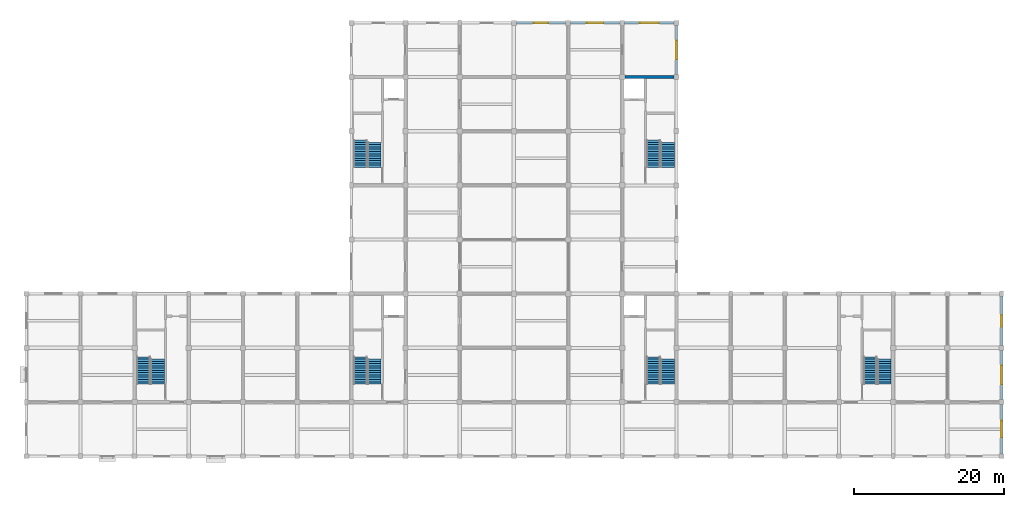
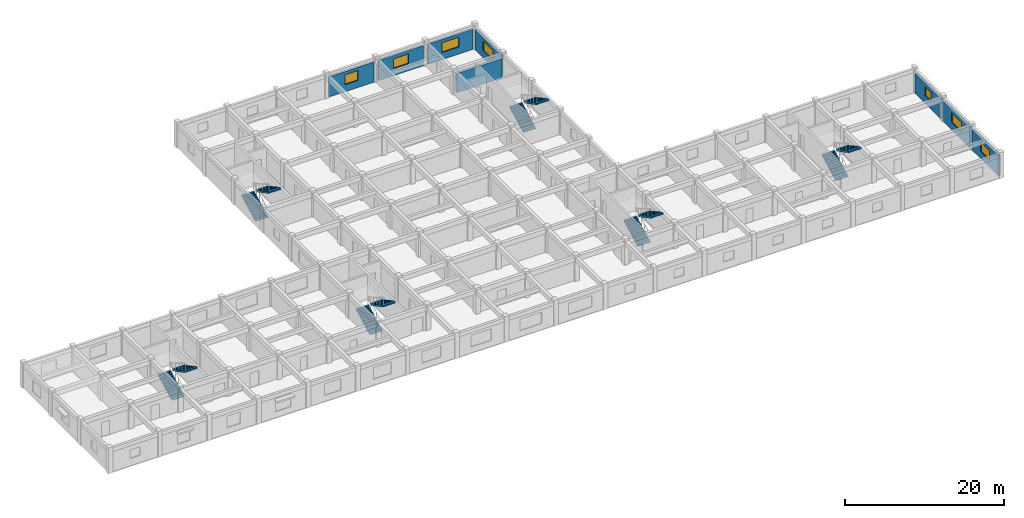
# One storey, part 9 of 11: 12 stair flights, 8 walls, 7 windows, 7 openings, 6 elements without a shape of their own.
"""IFC4 building model written with IfcOpenShell, lengths in metres."""

from ifc_helpers import new_model, si_unit, direction, frame, frame_2d, origin, place, context, subcontext, project, spatial, polyline, rectangle, outline, extrude, material, layer, layer_set, type_object, element, fill, aggregate, save


model = new_model("IFC4")

# Units and contexts
model_context = context("Model", 3, precision=1e-05, world=origin(), true_north=direction((0.0, 1.0)))
body_context = subcontext(model_context, "Body", "Model", "MODEL_VIEW")
ifc_project = project(units=[si_unit("LENGTHUNIT", "METRE"), si_unit("AREAUNIT", "SQUARE_METRE"), si_unit("VOLUMEUNIT", "CUBIC_METRE"), si_unit("PLANEANGLEUNIT", "RADIAN"), si_unit("MASSUNIT", "GRAM", prefix="KILO")], contexts=[model_context])

# Site, building, storey
site_placement = place(None, origin())
site = spatial("IfcSite", under=ifc_project, at=site_placement, CompositionType="ELEMENT")
building_placement = place(site_placement, origin())
building = spatial("IfcBuilding", under=site, at=building_placement, Name="Cendaluz Park School", CompositionType="ELEMENT")
storey_placement = place(building_placement, frame((0.0, 0.0, 26.60009765625)))
storey = spatial("IfcBuildingStorey", under=building, at=storey_placement, Name="L06", CompositionType="ELEMENT", Elevation=26.60009765625)

# Wall, opening, window
ifc_material_1 = material(Name="Concrete C40/50 precast", Category="concrete")
ifc_layer_1 = layer(ifc_material_1, 0.320068359375)
ifc_layer_set_1 = layer_set([ifc_layer_1], Name="Concrete C40/50 precast")
wall_type_1 = type_object("IfcWallType", Name="W-EX32", PredefinedType="SOLIDWALL", material=ifc_layer_set_1)
wall_1_placement = place(storey_placement, frame((86.72509765625, 64.800048828125, 0.0), z_axis=(0.0, 0.0, 1.0), x_axis=(1.0, 0.0, 0.0)))
wall_1 = element("IfcWall", 1, at=wall_1_placement, inside=storey, type_object=wall_type_1, Name="WL-FG-AC4", PredefinedType="SOLIDWALL", context=body_context, shape_type="SweptSolid", body=[
    extrude(rectangle(XDim=6.5498046875, YDim=0.320068359375, at=frame_2d((3.27490234375, 0.0))), origin(), (0.0, 0.0, 1.0), 3.099853515625),
])
opening_1_placement = place(wall_1_placement, frame((2.324951171875, 0.0, 1.10009765625)))
opening_1 = element("IfcOpeningElement", 2, at=opening_1_placement, cuts=wall_1, Name="Opening WN-17", PredefinedType="OPENING", context=body_context, shape_type="SweptSolid", body=[
    extrude(rectangle(XDim=1.89990234375, YDim=1.5, at=frame_2d((0.949951171875, 0.75))), frame((0.0, 0.172119140625, 0.0), z_axis=(0.0, -1.0, 0.0), x_axis=(1.0, 0.0, 0.0)), (0.0, 0.0, 1.0), 0.343994140625),
])
ifc_material_2 = material(Name="Tempered Low-E Double Glazing", Category="glass")
window_type_1 = type_object("IfcWindowType", Name="WN-17", PartitioningType="SINGLE_PANEL", PredefinedType="WINDOW", material=ifc_material_2)
window_1_placement = place(opening_1_placement, origin())
window_1 = element("IfcWindow", 3, at=window_1_placement, inside=storey, type_object=window_type_1, Name="WN-L06-025", OverallHeight=1.5, OverallWidth=1.89990234375, PartitioningType="SINGLE_PANEL", PredefinedType="WINDOW", context=body_context, shape_type="SweptSolid", body=[
    extrude(rectangle(XDim=1.89990234375, YDim=1.5, at=frame_2d((0.949951171875, 0.75))), frame((0.0, 0.030029296875, 0.0), z_axis=(0.0, -1.0, 0.0), x_axis=(1.0, 0.0, 0.0)), (0.0, 0.0, 1.0), 0.06005859375),
])
fill(opening_1, window_1)

wall_2_placement = place(storey_placement, frame((93.925048828125, 64.800048828125, 0.0), z_axis=(0.0, 0.0, 1.0), x_axis=(1.0, 0.0, 0.0)))
wall_2 = element("IfcWall", 4, at=wall_2_placement, inside=storey, type_object=wall_type_1, Name="WL-FG-AC6", PredefinedType="SOLIDWALL", context=body_context, shape_type="SweptSolid", body=[
    extrude(rectangle(XDim=6.550048828125, YDim=0.320068359375, at=frame_2d((3.27490234375, 0.0))), origin(), (0.0, 0.0, 1.0), 3.099853515625),
])
opening_2_placement = place(wall_2_placement, frame((2.175048828125, 0.0, 1.10009765625)))
opening_2 = element("IfcOpeningElement", 5, at=opening_2_placement, cuts=wall_2, Name="Opening WN-18", PredefinedType="OPENING", context=body_context, shape_type="SweptSolid", body=[
    extrude(rectangle(XDim=2.199951171875, YDim=1.5, at=frame_2d((1.10009765625, 0.75))), frame((0.0, 0.172119140625, 0.0), z_axis=(0.0, -1.0, 0.0), x_axis=(1.0, 0.0, 0.0)), (0.0, 0.0, 1.0), 0.343994140625),
])
window_type_2 = type_object("IfcWindowType", Name="WN-18", PartitioningType="SINGLE_PANEL", PredefinedType="WINDOW", material=ifc_material_2)
window_2_placement = place(opening_2_placement, origin())
window_2 = element("IfcWindow", 6, at=window_2_placement, inside=storey, type_object=window_type_2, Name="WN-L06-027", OverallHeight=1.5, OverallWidth=2.199951171875, PartitioningType="SINGLE_PANEL", PredefinedType="WINDOW", context=body_context, shape_type="SweptSolid", body=[
    extrude(rectangle(XDim=2.199951171875, YDim=1.5, at=frame_2d((1.10009765625, 0.75))), frame((0.0, 0.030029296875, 0.0), z_axis=(0.0, -1.0, 0.0), x_axis=(1.0, 0.0, 0.0)), (0.0, 0.0, 1.0), 0.06005859375),
])
fill(opening_2, window_2)

wall_3_placement = place(storey_placement, frame((101.125, 64.800048828125, 0.0), z_axis=(0.0, 0.0, 1.0), x_axis=(1.0, 0.0, 0.0)))
wall_3 = element("IfcWall", 7, at=wall_3_placement, inside=storey, type_object=wall_type_1, Name="WL-FG-AD0", PredefinedType="SOLIDWALL", context=body_context, shape_type="SweptSolid", body=[
    extrude(rectangle(XDim=6.550048828125, YDim=0.320068359375, at=frame_2d((3.27490234375, 0.0))), origin(), (0.0, 0.0, 1.0), 3.099853515625),
])
opening_3_placement = place(wall_3_placement, frame((2.02490234375, 0.0, 1.10009765625)))
opening_3 = element("IfcOpeningElement", 8, at=opening_3_placement, cuts=wall_3, Name="Opening WN-19", PredefinedType="OPENING", context=body_context, shape_type="SweptSolid", body=[
    extrude(rectangle(XDim=2.5, YDim=1.5, at=frame_2d((1.25, 0.75))), frame((0.0, 0.172119140625, 0.0), z_axis=(0.0, -1.0, 0.0), x_axis=(1.0, 0.0, 0.0)), (0.0, 0.0, 1.0), 0.343994140625),
])
window_type_3 = type_object("IfcWindowType", Name="WN-19", PartitioningType="SINGLE_PANEL", PredefinedType="WINDOW", material=ifc_material_2)
window_3_placement = place(opening_3_placement, origin())
window_3 = element("IfcWindow", 9, at=window_3_placement, inside=storey, type_object=window_type_3, Name="WN-L06-031", OverallHeight=1.5, OverallWidth=2.5, PartitioningType="SINGLE_PANEL", PredefinedType="WINDOW", context=body_context, shape_type="SweptSolid", body=[
    extrude(rectangle(XDim=2.5, YDim=1.5, at=frame_2d((1.25, 0.75))), frame((0.0, 0.030029296875, 0.0), z_axis=(0.0, -1.0, 0.0), x_axis=(1.0, 0.0, 0.0)), (0.0, 0.0, 1.0), 0.06005859375),
])
fill(opening_3, window_3)

wall_4_placement = place(storey_placement, frame((108.0, 57.925048828125, 0.0), z_axis=(0.0, 0.0, 1.0), x_axis=(0.0, 1.0, 0.0)))
wall_4 = element("IfcWall", 10, at=wall_4_placement, inside=storey, type_object=wall_type_1, Name="WL-FG-AD1", PredefinedType="SOLIDWALL", context=body_context, shape_type="SweptSolid", body=[
    extrude(rectangle(XDim=6.550048828125, YDim=0.320068359375, at=frame_2d((3.27490234375, 0.0))), origin(), (0.0, 0.0, 1.0), 3.099853515625),
])
opening_4_placement = place(wall_4_placement, frame((2.02490234375, 0.0, 1.10009765625)))
opening_4 = element("IfcOpeningElement", 11, at=opening_4_placement, cuts=wall_4, Name="Opening WN-19", PredefinedType="OPENING", context=body_context, shape_type="SweptSolid", body=[
    extrude(rectangle(XDim=2.5, YDim=1.5, at=frame_2d((1.25, 0.75))), frame((0.0, 0.172119140625, 0.0), z_axis=(0.0, -1.0, 0.0), x_axis=(1.0, 0.0, 0.0)), (0.0, 0.0, 1.0), 0.343994140625),
])
window_4_placement = place(opening_4_placement, origin())
window_4 = element("IfcWindow", 12, at=window_4_placement, inside=storey, type_object=window_type_3, Name="WN-L06-032", OverallHeight=1.5, OverallWidth=2.5, PartitioningType="SINGLE_PANEL", PredefinedType="WINDOW", context=body_context, shape_type="SweptSolid", body=[
    extrude(rectangle(XDim=2.5, YDim=1.5, at=frame_2d((1.25, 0.75))), frame((0.0, 0.030029296875, 0.0), z_axis=(0.0, -1.0, 0.0), x_axis=(1.0, 0.0, 0.0)), (0.0, 0.0, 1.0), 0.06005859375),
])
fill(opening_4, window_4)

wall_5_placement = place(storey_placement, frame((151.199951171875, 7.52490234375, 0.0), z_axis=(0.0, 0.0, 1.0), x_axis=(0.0, 1.0, 0.0)))
wall_5 = element("IfcWall", 13, at=wall_5_placement, inside=storey, type_object=wall_type_1, Name="WL-FG-AE2", PredefinedType="SOLIDWALL", context=body_context, shape_type="SweptSolid", body=[
    extrude(rectangle(XDim=6.550048828125, YDim=0.320068359375, at=frame_2d((3.27490234375, 0.0))), origin(), (0.0, 0.0, 1.0), 3.099853515625),
])
opening_5_placement = place(wall_5_placement, frame((2.175048828125, 0.0, 1.10009765625)))
opening_5 = element("IfcOpeningElement", 14, at=opening_5_placement, cuts=wall_5, Name="Opening WN-18", PredefinedType="OPENING", context=body_context, shape_type="SweptSolid", body=[
    extrude(rectangle(XDim=2.199951171875, YDim=1.5, at=frame_2d((1.10009765625, 0.75))), frame((0.0, 0.172119140625, 0.0), z_axis=(0.0, -1.0, 0.0), x_axis=(1.0, 0.0, 0.0)), (0.0, 0.0, 1.0), 0.343994140625),
])
window_5_placement = place(opening_5_placement, origin())
window_5 = element("IfcWindow", 15, at=window_5_placement, inside=storey, type_object=window_type_2, Name="WN-L06-043", OverallHeight=1.5, OverallWidth=2.199951171875, PartitioningType="SINGLE_PANEL", PredefinedType="WINDOW", context=body_context, shape_type="SweptSolid", body=[
    extrude(rectangle(XDim=2.199951171875, YDim=1.5, at=frame_2d((1.10009765625, 0.75))), frame((0.0, 0.030029296875, 0.0), z_axis=(0.0, -1.0, 0.0), x_axis=(1.0, 0.0, 0.0)), (0.0, 0.0, 1.0), 0.06005859375),
])
fill(opening_5, window_5)

wall_6_placement = place(storey_placement, frame((151.199951171875, 14.72509765625, 0.0), z_axis=(0.0, 0.0, 1.0), x_axis=(0.0, 1.0, 0.0)))
wall_6 = element("IfcWall", 16, at=wall_6_placement, inside=storey, type_object=wall_type_1, Name="WL-FG-AE3", PredefinedType="SOLIDWALL", context=body_context, shape_type="SweptSolid", body=[
    extrude(rectangle(XDim=6.5498046875, YDim=0.320068359375, at=frame_2d((3.27490234375, 0.0))), origin(), (0.0, 0.0, 1.0), 3.099853515625),
])
opening_6_placement = place(wall_6_placement, frame((2.02490234375, 0.0, 1.10009765625)))
opening_6 = element("IfcOpeningElement", 17, at=opening_6_placement, cuts=wall_6, Name="Opening WN-19", PredefinedType="OPENING", context=body_context, shape_type="SweptSolid", body=[
    extrude(rectangle(XDim=2.5, YDim=1.5, at=frame_2d((1.25, 0.75))), frame((0.0, 0.172119140625, 0.0), z_axis=(0.0, -1.0, 0.0), x_axis=(1.0, 0.0, 0.0)), (0.0, 0.0, 1.0), 0.343994140625),
])
window_6_placement = place(opening_6_placement, origin())
window_6 = element("IfcWindow", 18, at=window_6_placement, inside=storey, type_object=window_type_3, Name="WN-L06-044", OverallHeight=1.5, OverallWidth=2.5, PartitioningType="SINGLE_PANEL", PredefinedType="WINDOW", context=body_context, shape_type="SweptSolid", body=[
    extrude(rectangle(XDim=2.5, YDim=1.5, at=frame_2d((1.25, 0.75))), frame((0.0, 0.030029296875, 0.0), z_axis=(0.0, -1.0, 0.0), x_axis=(1.0, 0.0, 0.0)), (0.0, 0.0, 1.0), 0.06005859375),
])
fill(opening_6, window_6)

wall_7_placement = place(storey_placement, frame((151.199951171875, 21.925048828125, 0.0), z_axis=(0.0, 0.0, 1.0), x_axis=(0.0, 1.0, 0.0)))
wall_7 = element("IfcWall", 19, at=wall_7_placement, inside=storey, type_object=wall_type_1, Name="WL-FG-AE5", PredefinedType="SOLIDWALL", context=body_context, shape_type="SweptSolid", body=[
    extrude(rectangle(XDim=6.5, YDim=0.320068359375, at=frame_2d((3.25, 0.0))), origin(), (0.0, 0.0, 1.0), 3.099853515625),
])
opening_7_placement = place(wall_7_placement, frame((2.5, 0.0, 1.199951171875)))
opening_7 = element("IfcOpeningElement", 20, at=opening_7_placement, cuts=wall_7, Name="Opening WN-20", PredefinedType="OPENING", context=body_context, shape_type="SweptSolid", body=[
    extrude(rectangle(XDim=1.5, YDim=1.35009765625, at=frame_2d((0.75, 0.675048828125))), frame((0.0, 0.172119140625, 0.0), z_axis=(0.0, -1.0, 0.0), x_axis=(1.0, 0.0, 0.0)), (0.0, 0.0, 1.0), 0.343994140625),
])
window_type_4 = type_object("IfcWindowType", Name="WN-20", PartitioningType="SINGLE_PANEL", PredefinedType="WINDOW", material=ifc_material_2)
window_7_placement = place(opening_7_placement, origin())
window_7 = element("IfcWindow", 21, at=window_7_placement, inside=storey, type_object=window_type_4, Name="WN-L06-046", OverallHeight=1.35009765625, OverallWidth=1.5, PartitioningType="SINGLE_PANEL", PredefinedType="WINDOW", context=body_context, shape_type="SweptSolid", body=[
    extrude(rectangle(XDim=1.5, YDim=1.35009765625, at=frame_2d((0.75, 0.675048828125))), frame((0.0, 0.030029296875, 0.0), z_axis=(0.0, -1.0, 0.0), x_axis=(1.0, 0.0, 0.0)), (0.0, 0.0, 1.0), 0.06005859375),
])
fill(opening_7, window_7)

# Wall
ifc_material_3 = material(Name="Concrete C40/50", Category="concrete")
ifc_layer_2 = layer(ifc_material_3, 0.39990234375)
ifc_layer_set_2 = layer_set([ifc_layer_2], Name="Concrete C40/50")
wall_type_2 = type_object("IfcWallType", Name="W-SH40", PredefinedType="SHEAR", material=ifc_layer_set_2)
wall_8_placement = place(storey_placement, frame((101.14990234375, 57.60009765625, 0.0), z_axis=(0.0, 0.0, 1.0), x_axis=(1.0, 0.0, 0.0)))
element("IfcWall", 22, at=wall_8_placement, inside=storey, type_object=wall_type_2, Name="WL-FG-BL8", PredefinedType="SHEAR", context=body_context, shape_type="SweptSolid", body=[
    extrude(rectangle(XDim=6.525146484375, YDim=0.39990234375, at=frame_2d((3.2626953125, 0.0))), origin(), (0.0, 0.0, 1.0), 2.9599609375),
])

# Stair, stair flight
stair_type = type_object("IfcStairType", Name="ST-400-180", PredefinedType="HALF_TURN_STAIR", material=ifc_material_3)
stair_1_placement = place(storey_placement, origin())
stair_1 = element("IfcStair", 23, at=stair_1_placement, inside=storey, type_object=stair_type, Name="ST-L06-C1", PredefinedType="HALF_TURN_STAIR")
stair_flight_type_1 = type_object("IfcStairFlightType", Name="SF-12-160-180", PredefinedType="STRAIGHT", material=ifc_material_3)
stair_flight_1_placement = place(storey_placement, frame((67.860107421875, 20.10009765625, 2.079833984375), z_axis=(0.0, 0.0, 1.0), x_axis=(0.0, -1.0, 0.0)))
stair_flight_1 = element("IfcStairFlight", 24, at=stair_flight_1_placement, type_object=stair_flight_type_1, Name="SF-L06-C1-2", NumberOfRisers=12, NumberOfTreads=11, PredefinedType="STRAIGHT", RiserHeight=0.16, TreadLength=0.3, context=body_context, shape_type="SweptSolid", body=[
    extrude(outline(polyline([(0.0, 0.0), (0.0, 0.159912109375), (0.300048828125, 0.159912109375), (0.300048828125, 0.320068359375), (0.60009765625, 0.320068359375), (0.60009765625, 0.47998046875), (0.89990234375, 0.47998046875), (0.89990234375, 0.639892578125), (1.199951171875, 0.639892578125), (1.199951171875, 0.800048828125), (1.5, 0.800048828125), (1.5, 0.9599609375), (1.800048828125, 0.9599609375), (1.800048828125, 1.1201171875), (2.10009765625, 1.1201171875), (2.10009765625, 1.280029296875), (2.39990234375, 1.280029296875), (2.39990234375, 1.43994140625), (2.699951171875, 1.43994140625), (2.699951171875, 1.60009765625), (3.0, 1.60009765625), (3.0, 1.760009765625), (3.300048828125, 1.760009765625), (3.300048828125, 1.919921875), (3.300048828125, 1.55615234375), (0.38232421875, 0.0), (0.0, 0.0)])), frame((0.0, 0.89990234375, 0.0), z_axis=(0.0, -1.0, 0.0), x_axis=(1.0, 0.0, 0.0)), (0.0, 0.0, 1.0), 1.800048828125),
])

stair_2_placement = place(storey_placement, origin())
stair_2 = element("IfcStair", 25, at=stair_2_placement, inside=storey, type_object=stair_type, Name="ST-L06-C2", PredefinedType="HALF_TURN_STAIR")
stair_flight_2_placement = place(storey_placement, frame((106.81005859375, 20.10009765625, 2.079833984375), z_axis=(0.0, 0.0, 1.0), x_axis=(0.0, -1.0, 0.0)))
stair_flight_2 = element("IfcStairFlight", 26, at=stair_flight_2_placement, type_object=stair_flight_type_1, Name="SF-L06-C2-2", NumberOfRisers=12, NumberOfTreads=11, PredefinedType="STRAIGHT", RiserHeight=0.16, TreadLength=0.3, context=body_context, shape_type="SweptSolid", body=[
    extrude(outline(polyline([(0.0, 0.0), (0.0, 0.159912109375), (0.300048828125, 0.159912109375), (0.300048828125, 0.320068359375), (0.60009765625, 0.320068359375), (0.60009765625, 0.47998046875), (0.89990234375, 0.47998046875), (0.89990234375, 0.639892578125), (1.199951171875, 0.639892578125), (1.199951171875, 0.800048828125), (1.5, 0.800048828125), (1.5, 0.9599609375), (1.800048828125, 0.9599609375), (1.800048828125, 1.1201171875), (2.10009765625, 1.1201171875), (2.10009765625, 1.280029296875), (2.39990234375, 1.280029296875), (2.39990234375, 1.43994140625), (2.699951171875, 1.43994140625), (2.699951171875, 1.60009765625), (3.0, 1.60009765625), (3.0, 1.760009765625), (3.300048828125, 1.760009765625), (3.300048828125, 1.919921875), (3.300048828125, 1.55615234375), (0.38232421875, 0.0), (0.0, 0.0)])), frame((0.0, 0.89990234375, 0.0), z_axis=(0.0, -1.0, 0.0), x_axis=(1.0, 0.0, 0.0)), (0.0, 0.0, 1.0), 1.800048828125),
])

stair_3_placement = place(storey_placement, origin())
stair_3 = element("IfcStair", 27, at=stair_3_placement, inside=storey, type_object=stair_type, Name="ST-L06-C3", PredefinedType="HALF_TURN_STAIR")
stair_flight_3_placement = place(storey_placement, frame((67.860107421875, 48.89990234375, 2.079833984375), z_axis=(0.0, 0.0, 1.0), x_axis=(0.0, -1.0, 0.0)))
stair_flight_3 = element("IfcStairFlight", 28, at=stair_flight_3_placement, type_object=stair_flight_type_1, Name="SF-L06-C3-2", NumberOfRisers=12, NumberOfTreads=11, PredefinedType="STRAIGHT", RiserHeight=0.16, TreadLength=0.3, context=body_context, shape_type="SweptSolid", body=[
    extrude(outline(polyline([(0.0, 0.0), (0.0, 0.159912109375), (0.300048828125, 0.159912109375), (0.300048828125, 0.320068359375), (0.60009765625, 0.320068359375), (0.60009765625, 0.47998046875), (0.89990234375, 0.47998046875), (0.89990234375, 0.639892578125), (1.199951171875, 0.639892578125), (1.199951171875, 0.800048828125), (1.5, 0.800048828125), (1.5, 0.9599609375), (1.800048828125, 0.9599609375), (1.800048828125, 1.1201171875), (2.10009765625, 1.1201171875), (2.10009765625, 1.280029296875), (2.39990234375, 1.280029296875), (2.39990234375, 1.43994140625), (2.699951171875, 1.43994140625), (2.699951171875, 1.60009765625), (3.0, 1.60009765625), (3.0, 1.760009765625), (3.300048828125, 1.760009765625), (3.300048828125, 1.919921875), (3.300048828125, 1.55615234375), (0.38232421875, 0.0), (0.0, 0.0)])), frame((0.0, 0.89990234375, 0.0), z_axis=(0.0, -1.0, 0.0), x_axis=(1.0, 0.0, 0.0)), (0.0, 0.0, 1.0), 1.800048828125),
])

stair_4_placement = place(storey_placement, origin())
stair_4 = element("IfcStair", 29, at=stair_4_placement, inside=storey, type_object=stair_type, Name="ST-L06-C4", PredefinedType="HALF_TURN_STAIR")
stair_flight_4_placement = place(storey_placement, frame((106.81005859375, 48.89990234375, 2.079833984375), z_axis=(0.0, 0.0, 1.0), x_axis=(0.0, -1.0, 0.0)))
stair_flight_4 = element("IfcStairFlight", 30, at=stair_flight_4_placement, type_object=stair_flight_type_1, Name="SF-L06-C4-2", NumberOfRisers=12, NumberOfTreads=11, PredefinedType="STRAIGHT", RiserHeight=0.16, TreadLength=0.3, context=body_context, shape_type="SweptSolid", body=[
    extrude(outline(polyline([(0.0, 0.0), (0.0, 0.159912109375), (0.300048828125, 0.159912109375), (0.300048828125, 0.320068359375), (0.60009765625, 0.320068359375), (0.60009765625, 0.47998046875), (0.89990234375, 0.47998046875), (0.89990234375, 0.639892578125), (1.199951171875, 0.639892578125), (1.199951171875, 0.800048828125), (1.5, 0.800048828125), (1.5, 0.9599609375), (1.800048828125, 0.9599609375), (1.800048828125, 1.1201171875), (2.10009765625, 1.1201171875), (2.10009765625, 1.280029296875), (2.39990234375, 1.280029296875), (2.39990234375, 1.43994140625), (2.699951171875, 1.43994140625), (2.699951171875, 1.60009765625), (3.0, 1.60009765625), (3.0, 1.760009765625), (3.300048828125, 1.760009765625), (3.300048828125, 1.919921875), (3.300048828125, 1.55615234375), (0.38232421875, 0.0), (0.0, 0.0)])), frame((0.0, 0.89990234375, 0.0), z_axis=(0.0, -1.0, 0.0), x_axis=(1.0, 0.0, 0.0)), (0.0, 0.0, 1.0), 1.800048828125),
])

stair_5_placement = place(storey_placement, origin())
stair_5 = element("IfcStair", 31, at=stair_5_placement, inside=storey, type_object=stair_type, Name="ST-L06-C5", PredefinedType="HALF_TURN_STAIR")
stair_flight_5_placement = place(storey_placement, frame((39.06005859375, 20.10009765625, 2.079833984375), z_axis=(0.0, 0.0, 1.0), x_axis=(0.0, -1.0, 0.0)))
stair_flight_5 = element("IfcStairFlight", 32, at=stair_flight_5_placement, type_object=stair_flight_type_1, Name="SF-L06-C5-2", NumberOfRisers=12, NumberOfTreads=11, PredefinedType="STRAIGHT", RiserHeight=0.16, TreadLength=0.3, context=body_context, shape_type="SweptSolid", body=[
    extrude(outline(polyline([(0.0, 0.0), (0.0, 0.159912109375), (0.300048828125, 0.159912109375), (0.300048828125, 0.320068359375), (0.60009765625, 0.320068359375), (0.60009765625, 0.47998046875), (0.89990234375, 0.47998046875), (0.89990234375, 0.639892578125), (1.199951171875, 0.639892578125), (1.199951171875, 0.800048828125), (1.5, 0.800048828125), (1.5, 0.9599609375), (1.800048828125, 0.9599609375), (1.800048828125, 1.1201171875), (2.10009765625, 1.1201171875), (2.10009765625, 1.280029296875), (2.39990234375, 1.280029296875), (2.39990234375, 1.43994140625), (2.699951171875, 1.43994140625), (2.699951171875, 1.60009765625), (3.0, 1.60009765625), (3.0, 1.760009765625), (3.300048828125, 1.760009765625), (3.300048828125, 1.919921875), (3.300048828125, 1.55615234375), (0.38232421875, 0.0), (0.0, 0.0)])), frame((0.0, 0.89990234375, 0.0), z_axis=(0.0, -1.0, 0.0), x_axis=(1.0, 0.0, 0.0)), (0.0, 0.0, 1.0), 1.800048828125),
])

stair_6_placement = place(storey_placement, origin())
stair_6 = element("IfcStair", 33, at=stair_6_placement, inside=storey, type_object=stair_type, Name="ST-L06-C6", PredefinedType="HALF_TURN_STAIR")
stair_flight_6_placement = place(storey_placement, frame((135.610107421875, 20.10009765625, 2.079833984375), z_axis=(0.0, 0.0, 1.0), x_axis=(0.0, -1.0, 0.0)))
stair_flight_6 = element("IfcStairFlight", 34, at=stair_flight_6_placement, type_object=stair_flight_type_1, Name="SF-L06-C6-2", NumberOfRisers=12, NumberOfTreads=11, PredefinedType="STRAIGHT", RiserHeight=0.16, TreadLength=0.3, context=body_context, shape_type="SweptSolid", body=[
    extrude(outline(polyline([(0.0, 0.0), (0.0, 0.159912109375), (0.300048828125, 0.159912109375), (0.300048828125, 0.320068359375), (0.60009765625, 0.320068359375), (0.60009765625, 0.47998046875), (0.89990234375, 0.47998046875), (0.89990234375, 0.639892578125), (1.199951171875, 0.639892578125), (1.199951171875, 0.800048828125), (1.5, 0.800048828125), (1.5, 0.9599609375), (1.800048828125, 0.9599609375), (1.800048828125, 1.1201171875), (2.10009765625, 1.1201171875), (2.10009765625, 1.280029296875), (2.39990234375, 1.280029296875), (2.39990234375, 1.43994140625), (2.699951171875, 1.43994140625), (2.699951171875, 1.60009765625), (3.0, 1.60009765625), (3.0, 1.760009765625), (3.300048828125, 1.760009765625), (3.300048828125, 1.919921875), (3.300048828125, 1.55615234375), (0.38232421875, 0.0), (0.0, 0.0)])), frame((0.0, 0.89990234375, 0.0), z_axis=(0.0, -1.0, 0.0), x_axis=(1.0, 0.0, 0.0)), (0.0, 0.0, 1.0), 1.800048828125),
])

# Stair flight
stair_flight_type_2 = type_object("IfcStairFlightType", Name="SF-13-160-180", PredefinedType="STRAIGHT", material=ifc_material_3)
stair_flight_7_placement = place(storey_placement, frame((65.989990234375, 16.800048828125, 0.0), z_axis=(0.0, 0.0, 1.0), x_axis=(0.0, 1.0, 0.0)))
stair_flight_7 = element("IfcStairFlight", 35, at=stair_flight_7_placement, type_object=stair_flight_type_2, Name="SF-L06-C1-1", NumberOfRisers=13, NumberOfTreads=12, PredefinedType="STRAIGHT", RiserHeight=0.16, TreadLength=0.3, context=body_context, shape_type="SweptSolid", body=[
    extrude(outline(polyline([(0.0, 0.0), (0.0, 0.159912109375), (0.300048828125, 0.159912109375), (0.300048828125, 0.320068359375), (0.60009765625, 0.320068359375), (0.60009765625, 0.47998046875), (0.89990234375, 0.47998046875), (0.89990234375, 0.639892578125), (1.199951171875, 0.639892578125), (1.199951171875, 0.800048828125), (1.5, 0.800048828125), (1.5, 0.9599609375), (1.800048828125, 0.9599609375), (1.800048828125, 1.1201171875), (2.10009765625, 1.1201171875), (2.10009765625, 1.280029296875), (2.39990234375, 1.280029296875), (2.39990234375, 1.43994140625), (2.699951171875, 1.43994140625), (2.699951171875, 1.60009765625), (3.0, 1.60009765625), (3.0, 1.760009765625), (3.300048828125, 1.760009765625), (3.300048828125, 1.919921875), (3.60009765625, 1.919921875), (3.60009765625, 2.080078125), (3.60009765625, 1.716064453125), (0.38232421875, 0.0), (0.0, 0.0)])), frame((0.0, 0.89990234375, 0.0), z_axis=(0.0, -1.0, 0.0), x_axis=(1.0, 0.0, 0.0)), (0.0, 0.0, 1.0), 1.800048828125),
])

aggregate(stair_1, [stair_flight_7, stair_flight_1])

stair_flight_8_placement = place(storey_placement, frame((104.93994140625, 16.800048828125, 0.0), z_axis=(0.0, 0.0, 1.0), x_axis=(0.0, 1.0, 0.0)))
stair_flight_8 = element("IfcStairFlight", 36, at=stair_flight_8_placement, type_object=stair_flight_type_2, Name="SF-L06-C2-1", NumberOfRisers=13, NumberOfTreads=12, PredefinedType="STRAIGHT", RiserHeight=0.16, TreadLength=0.3, context=body_context, shape_type="SweptSolid", body=[
    extrude(outline(polyline([(0.0, 0.0), (0.0, 0.159912109375), (0.300048828125, 0.159912109375), (0.300048828125, 0.320068359375), (0.60009765625, 0.320068359375), (0.60009765625, 0.47998046875), (0.89990234375, 0.47998046875), (0.89990234375, 0.639892578125), (1.199951171875, 0.639892578125), (1.199951171875, 0.800048828125), (1.5, 0.800048828125), (1.5, 0.9599609375), (1.800048828125, 0.9599609375), (1.800048828125, 1.1201171875), (2.10009765625, 1.1201171875), (2.10009765625, 1.280029296875), (2.39990234375, 1.280029296875), (2.39990234375, 1.43994140625), (2.699951171875, 1.43994140625), (2.699951171875, 1.60009765625), (3.0, 1.60009765625), (3.0, 1.760009765625), (3.300048828125, 1.760009765625), (3.300048828125, 1.919921875), (3.60009765625, 1.919921875), (3.60009765625, 2.080078125), (3.60009765625, 1.716064453125), (0.38232421875, 0.0), (0.0, 0.0)])), frame((0.0, 0.89990234375, 0.0), z_axis=(0.0, -1.0, 0.0), x_axis=(1.0, 0.0, 0.0)), (0.0, 0.0, 1.0), 1.800048828125),
])

aggregate(stair_2, [stair_flight_8, stair_flight_2])

stair_flight_9_placement = place(storey_placement, frame((65.989990234375, 45.60009765625, 0.0), z_axis=(0.0, 0.0, 1.0), x_axis=(0.0, 1.0, 0.0)))
stair_flight_9 = element("IfcStairFlight", 37, at=stair_flight_9_placement, type_object=stair_flight_type_2, Name="SF-L06-C3-1", NumberOfRisers=13, NumberOfTreads=12, PredefinedType="STRAIGHT", RiserHeight=0.16, TreadLength=0.3, context=body_context, shape_type="SweptSolid", body=[
    extrude(outline(polyline([(0.0, 0.0), (0.0, 0.159912109375), (0.300048828125, 0.159912109375), (0.300048828125, 0.320068359375), (0.60009765625, 0.320068359375), (0.60009765625, 0.47998046875), (0.89990234375, 0.47998046875), (0.89990234375, 0.639892578125), (1.199951171875, 0.639892578125), (1.199951171875, 0.800048828125), (1.5, 0.800048828125), (1.5, 0.9599609375), (1.800048828125, 0.9599609375), (1.800048828125, 1.1201171875), (2.10009765625, 1.1201171875), (2.10009765625, 1.280029296875), (2.39990234375, 1.280029296875), (2.39990234375, 1.43994140625), (2.699951171875, 1.43994140625), (2.699951171875, 1.60009765625), (3.0, 1.60009765625), (3.0, 1.760009765625), (3.300048828125, 1.760009765625), (3.300048828125, 1.919921875), (3.60009765625, 1.919921875), (3.60009765625, 2.080078125), (3.60009765625, 1.716064453125), (0.38232421875, 0.0), (0.0, 0.0)])), frame((0.0, 0.89990234375, 0.0), z_axis=(0.0, -1.0, 0.0), x_axis=(1.0, 0.0, 0.0)), (0.0, 0.0, 1.0), 1.800048828125),
])

aggregate(stair_3, [stair_flight_9, stair_flight_3])

stair_flight_10_placement = place(storey_placement, frame((104.93994140625, 45.60009765625, 0.0), z_axis=(0.0, 0.0, 1.0), x_axis=(0.0, 1.0, 0.0)))
stair_flight_10 = element("IfcStairFlight", 38, at=stair_flight_10_placement, type_object=stair_flight_type_2, Name="SF-L06-C4-1", NumberOfRisers=13, NumberOfTreads=12, PredefinedType="STRAIGHT", RiserHeight=0.16, TreadLength=0.3, context=body_context, shape_type="SweptSolid", body=[
    extrude(outline(polyline([(0.0, 0.0), (0.0, 0.159912109375), (0.300048828125, 0.159912109375), (0.300048828125, 0.320068359375), (0.60009765625, 0.320068359375), (0.60009765625, 0.47998046875), (0.89990234375, 0.47998046875), (0.89990234375, 0.639892578125), (1.199951171875, 0.639892578125), (1.199951171875, 0.800048828125), (1.5, 0.800048828125), (1.5, 0.9599609375), (1.800048828125, 0.9599609375), (1.800048828125, 1.1201171875), (2.10009765625, 1.1201171875), (2.10009765625, 1.280029296875), (2.39990234375, 1.280029296875), (2.39990234375, 1.43994140625), (2.699951171875, 1.43994140625), (2.699951171875, 1.60009765625), (3.0, 1.60009765625), (3.0, 1.760009765625), (3.300048828125, 1.760009765625), (3.300048828125, 1.919921875), (3.60009765625, 1.919921875), (3.60009765625, 2.080078125), (3.60009765625, 1.716064453125), (0.38232421875, 0.0), (0.0, 0.0)])), frame((0.0, 0.89990234375, 0.0), z_axis=(0.0, -1.0, 0.0), x_axis=(1.0, 0.0, 0.0)), (0.0, 0.0, 1.0), 1.800048828125),
])

aggregate(stair_4, [stair_flight_10, stair_flight_4])

stair_flight_11_placement = place(storey_placement, frame((37.18994140625, 16.800048828125, 0.0), z_axis=(0.0, 0.0, 1.0), x_axis=(0.0, 1.0, 0.0)))
stair_flight_11 = element("IfcStairFlight", 39, at=stair_flight_11_placement, type_object=stair_flight_type_2, Name="SF-L06-C5-1", NumberOfRisers=13, NumberOfTreads=12, PredefinedType="STRAIGHT", RiserHeight=0.16, TreadLength=0.3, context=body_context, shape_type="SweptSolid", body=[
    extrude(outline(polyline([(0.0, 0.0), (0.0, 0.159912109375), (0.300048828125, 0.159912109375), (0.300048828125, 0.320068359375), (0.60009765625, 0.320068359375), (0.60009765625, 0.47998046875), (0.89990234375, 0.47998046875), (0.89990234375, 0.639892578125), (1.199951171875, 0.639892578125), (1.199951171875, 0.800048828125), (1.5, 0.800048828125), (1.5, 0.9599609375), (1.800048828125, 0.9599609375), (1.800048828125, 1.1201171875), (2.10009765625, 1.1201171875), (2.10009765625, 1.280029296875), (2.39990234375, 1.280029296875), (2.39990234375, 1.43994140625), (2.699951171875, 1.43994140625), (2.699951171875, 1.60009765625), (3.0, 1.60009765625), (3.0, 1.760009765625), (3.300048828125, 1.760009765625), (3.300048828125, 1.919921875), (3.60009765625, 1.919921875), (3.60009765625, 2.080078125), (3.60009765625, 1.716064453125), (0.38232421875, 0.0), (0.0, 0.0)])), frame((0.0, 0.89990234375, 0.0), z_axis=(0.0, -1.0, 0.0), x_axis=(1.0, 0.0, 0.0)), (0.0, 0.0, 1.0), 1.800048828125),
])

aggregate(stair_5, [stair_flight_11, stair_flight_5])

stair_flight_12_placement = place(storey_placement, frame((133.739990234375, 16.800048828125, 0.0), z_axis=(0.0, 0.0, 1.0), x_axis=(0.0, 1.0, 0.0)))
stair_flight_12 = element("IfcStairFlight", 40, at=stair_flight_12_placement, type_object=stair_flight_type_2, Name="SF-L06-C6-1", NumberOfRisers=13, NumberOfTreads=12, PredefinedType="STRAIGHT", RiserHeight=0.16, TreadLength=0.3, context=body_context, shape_type="SweptSolid", body=[
    extrude(outline(polyline([(0.0, 0.0), (0.0, 0.159912109375), (0.300048828125, 0.159912109375), (0.300048828125, 0.320068359375), (0.60009765625, 0.320068359375), (0.60009765625, 0.47998046875), (0.89990234375, 0.47998046875), (0.89990234375, 0.639892578125), (1.199951171875, 0.639892578125), (1.199951171875, 0.800048828125), (1.5, 0.800048828125), (1.5, 0.9599609375), (1.800048828125, 0.9599609375), (1.800048828125, 1.1201171875), (2.10009765625, 1.1201171875), (2.10009765625, 1.280029296875), (2.39990234375, 1.280029296875), (2.39990234375, 1.43994140625), (2.699951171875, 1.43994140625), (2.699951171875, 1.60009765625), (3.0, 1.60009765625), (3.0, 1.760009765625), (3.300048828125, 1.760009765625), (3.300048828125, 1.919921875), (3.60009765625, 1.919921875), (3.60009765625, 2.080078125), (3.60009765625, 1.716064453125), (0.38232421875, 0.0), (0.0, 0.0)])), frame((0.0, 0.89990234375, 0.0), z_axis=(0.0, -1.0, 0.0), x_axis=(1.0, 0.0, 0.0)), (0.0, 0.0, 1.0), 1.800048828125),
])

aggregate(stair_6, [stair_flight_12, stair_flight_6])

save(model, "model.ifc")
